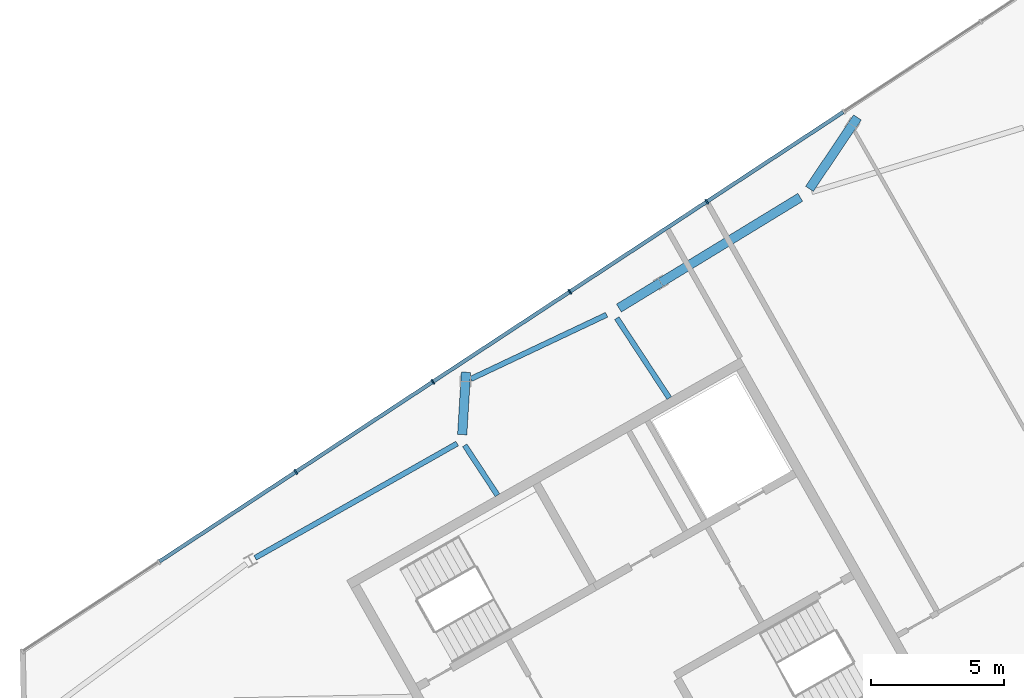
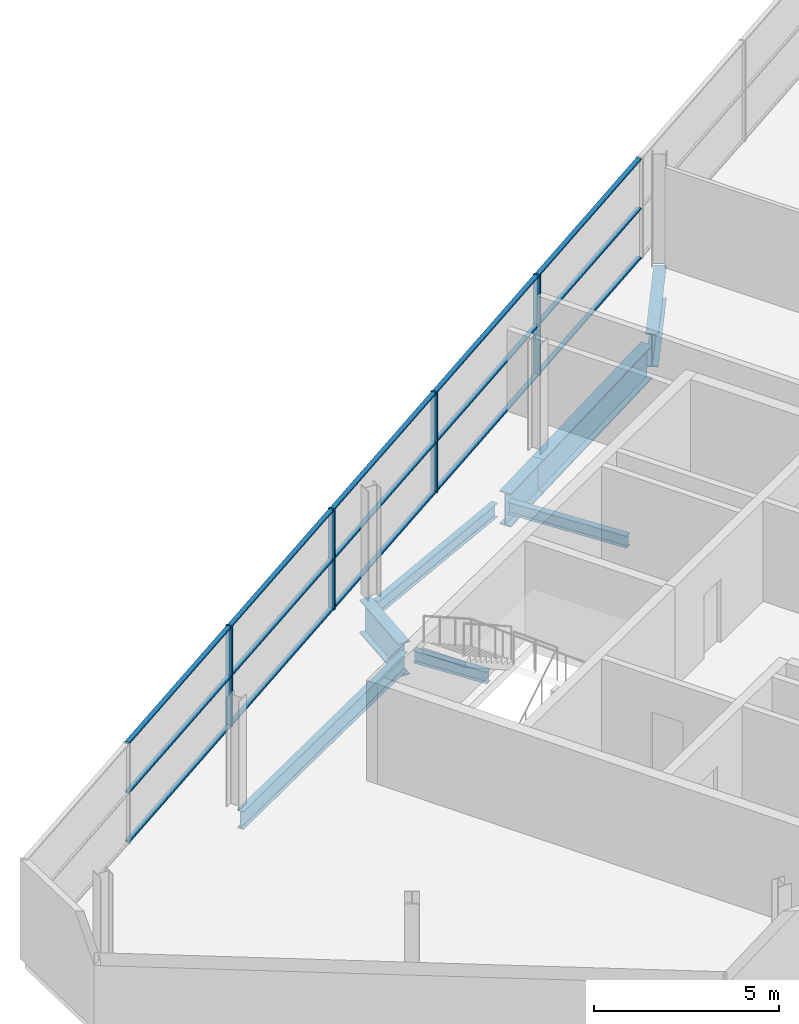
# One storey, part 4 of 10: 19 members, 8 beams, 1 element without a shape of its own.
"""IFC4 building model written with IfcOpenShell, lengths in metres."""

from ifc_helpers import new_model, si_unit, direction, frame, origin, origin_2d, place, context, subcontext, project, spatial, rectangle, i_section, extrude, material, material_profile, profile_set, type_object, element, aggregate, save


model = new_model("IFC4")

# Units and contexts
model_context = context("Model", 3, precision=1e-05, world=origin(), true_north=direction((0.0, 1.0)))
body_context = subcontext(model_context, "Body", "Model", "MODEL_VIEW")
ifc_project = project(units=[si_unit("LENGTHUNIT", "METRE"), si_unit("AREAUNIT", "SQUARE_METRE"), si_unit("VOLUMEUNIT", "CUBIC_METRE"), si_unit("PLANEANGLEUNIT", "RADIAN"), si_unit("MASSUNIT", "GRAM", prefix="KILO")], contexts=[model_context])

# Site, building, storey
site_placement = place(None, origin())
site = spatial("IfcSite", under=ifc_project, at=site_placement, CompositionType="ELEMENT")
building_placement = place(site_placement, origin())
building = spatial("IfcBuilding", under=site, at=building_placement, Name="Binnacle Exchange Tower", CompositionType="ELEMENT")
storey_placement = place(building_placement, frame((0.0, 0.0, 354.10009765625)))
storey = spatial("IfcBuildingStorey", under=building, at=storey_placement, Name="L81", CompositionType="ELEMENT", Elevation=354.10009765625)

# Curtain wall, members
ifc_material_1 = material(Name="Bronze anodised aluminium frame", Category="aluminium")
curtain_wall_type = type_object("IfcCurtainWallType", Name="External wall - curtain wall crown tiers", PredefinedType="NOTDEFINED", material=ifc_material_1)
curtain_wall_placement = place(storey_placement, origin())
curtain_wall = element("IfcCurtainWall", 1, at=curtain_wall_placement, inside=storey, type_object=curtain_wall_type, Name="External wall curtain wall CW5-C203 L81", PredefinedType="NOTDEFINED")
ifc_material_profile_1 = material_profile(ifc_material_1, rectangle(XDim=0.199951171875, YDim=0.06005859375, at=origin_2d()), Name="AL 60x200")
ifc_profile_set_1 = profile_set([ifc_material_profile_1], Name="Bronze anodised aluminium frame")
member_type_1 = type_object("IfcMemberType", Name="CW5 MULLION 60x200", PredefinedType="MULLION", material=ifc_profile_set_1)
member_1_placement = place(storey_placement, frame((-33.068115234375, 55.9150390625, 0.0), z_axis=(0.0, 0.0, 1.0), x_axis=(0.549310297171, -0.835618452059, 0.0)))
member_1 = element("IfcMember", 2, at=member_1_placement, type_object=member_type_1, Name="CW5-C203 mullion 5", PredefinedType="MULLION", context=body_context, shape_type="SweptSolid", body=[
    extrude(rectangle(XDim=0.199951171875, YDim=0.06005859375, at=origin_2d()), origin(), (0.0, 0.0, 1.0), 3.2998046875),
])
member_2_placement = place(storey_placement, frame((-38.21923828125, 52.52880859375, 0.0), z_axis=(0.0, 0.0, 1.0), x_axis=(0.549310297171, -0.835618452059, 0.0)))
member_2 = element("IfcMember", 3, at=member_2_placement, type_object=member_type_1, Name="CW5-C203 mullion 6", PredefinedType="MULLION", context=body_context, shape_type="SweptSolid", body=[
    extrude(rectangle(XDim=0.199951171875, YDim=0.06005859375, at=origin_2d()), origin(), (0.0, 0.0, 1.0), 3.2998046875),
])
member_3_placement = place(storey_placement, frame((-43.37060546875, 49.142578125, 0.0), z_axis=(0.0, 0.0, 1.0), x_axis=(0.549310297171, -0.835618452059, 0.0)))
member_3 = element("IfcMember", 4, at=member_3_placement, type_object=member_type_1, Name="CW5-C203 mullion 7", PredefinedType="MULLION", context=body_context, shape_type="SweptSolid", body=[
    extrude(rectangle(XDim=0.199951171875, YDim=0.06005859375, at=origin_2d()), origin(), (0.0, 0.0, 1.0), 3.2998046875),
])
member_4_placement = place(storey_placement, frame((-48.521728515625, 45.75634765625, 0.0), z_axis=(0.0, 0.0, 1.0), x_axis=(0.549310297171, -0.835618452059, 0.0)))
member_4 = element("IfcMember", 5, at=member_4_placement, type_object=member_type_1, Name="CW5-C203 mullion 8", PredefinedType="MULLION", context=body_context, shape_type="SweptSolid", body=[
    extrude(rectangle(XDim=0.199951171875, YDim=0.06005859375, at=origin_2d()), origin(), (0.0, 0.0, 1.0), 3.2998046875),
])
ifc_material_profile_2 = material_profile(ifc_material_1, rectangle(XDim=0.139892578125, YDim=0.050048828125, at=origin_2d()), Name="AL 140x50")
ifc_profile_set_2 = profile_set([ifc_material_profile_2], Name="Bronze anodised aluminium frame")
member_type_2 = type_object("IfcMemberType", Name="CW5 TRANSOM 50x140", PredefinedType="USERDEFINED", material=ifc_profile_set_2)
member_5_placement = place(storey_placement, frame((-27.94189453125, 59.284912109375, 0.02490234375), z_axis=(-0.835619987891, -0.549307960835, 0.0), x_axis=(0.549307960835, -0.835619987891, 0.0)))
member_5 = element("IfcMember", 6, at=member_5_placement, type_object=member_type_2, Name="CW5-C203 transom 4.1", ObjectType="TRANSOM", PredefinedType="USERDEFINED", context=body_context, shape_type="SweptSolid", body=[
    extrude(rectangle(XDim=0.139892578125, YDim=0.050048828125, at=origin_2d()), origin(), (0.0, 0.0, 1.0), 6.1044921875),
])
member_6_placement = place(storey_placement, frame((-27.94189453125, 59.284912109375, 1.64990234375), z_axis=(-0.835619987891, -0.549307960835, 0.0), x_axis=(0.549307960835, -0.835619987891, 0.0)))
member_6 = element("IfcMember", 7, at=member_6_placement, type_object=member_type_2, Name="CW5-C203 transom 4.2", ObjectType="TRANSOM", PredefinedType="USERDEFINED", context=body_context, shape_type="SweptSolid", body=[
    extrude(rectangle(XDim=0.139892578125, YDim=0.050048828125, at=origin_2d()), origin(), (0.0, 0.0, 1.0), 6.1044921875),
])
member_7_placement = place(storey_placement, frame((-27.94189453125, 59.284912109375, 3.27490234375), z_axis=(-0.835619987891, -0.549307960835, 0.0), x_axis=(0.549307960835, -0.835619987891, 0.0)))
member_7 = element("IfcMember", 8, at=member_7_placement, type_object=member_type_2, Name="CW5-C203 transom 4.3", ObjectType="TRANSOM", PredefinedType="USERDEFINED", context=body_context, shape_type="SweptSolid", body=[
    extrude(rectangle(XDim=0.139892578125, YDim=0.050048828125, at=origin_2d()), origin(), (0.0, 0.0, 1.0), 6.1044921875),
])
member_8_placement = place(storey_placement, frame((-33.09326171875, 55.898681640625, 0.02490234375), z_axis=(-0.835601630395, -0.549335885666, 0.0), x_axis=(0.549335885666, -0.835601630395, 0.0)))
member_8 = element("IfcMember", 9, at=member_8_placement, type_object=member_type_2, Name="CW5-C203 transom 5.1", ObjectType="TRANSOM", PredefinedType="USERDEFINED", context=body_context, shape_type="SweptSolid", body=[
    extrude(rectangle(XDim=0.139892578125, YDim=0.050048828125, at=origin_2d()), origin(), (0.0, 0.0, 1.0), 6.104736328125),
])
member_9_placement = place(storey_placement, frame((-33.09326171875, 55.898681640625, 1.64990234375), z_axis=(-0.835601630395, -0.549335885666, 0.0), x_axis=(0.549335885666, -0.835601630395, 0.0)))
member_9 = element("IfcMember", 10, at=member_9_placement, type_object=member_type_2, Name="CW5-C203 transom 5.2", ObjectType="TRANSOM", PredefinedType="USERDEFINED", context=body_context, shape_type="SweptSolid", body=[
    extrude(rectangle(XDim=0.139892578125, YDim=0.050048828125, at=origin_2d()), origin(), (0.0, 0.0, 1.0), 6.104736328125),
])
member_10_placement = place(storey_placement, frame((-33.09326171875, 55.898681640625, 3.27490234375), z_axis=(-0.835601630395, -0.549335885666, 0.0), x_axis=(0.549335885666, -0.835601630395, 0.0)))
member_10 = element("IfcMember", 11, at=member_10_placement, type_object=member_type_2, Name="CW5-C203 transom 5.3", ObjectType="TRANSOM", PredefinedType="USERDEFINED", context=body_context, shape_type="SweptSolid", body=[
    extrude(rectangle(XDim=0.139892578125, YDim=0.050048828125, at=origin_2d()), origin(), (0.0, 0.0, 1.0), 6.104736328125),
])
member_11_placement = place(storey_placement, frame((-38.244384765625, 52.51220703125, 0.02490234375), z_axis=(-0.835619987891, -0.549307960835, 0.0), x_axis=(0.549307960835, -0.835619987891, 0.0)))
member_11 = element("IfcMember", 12, at=member_11_placement, type_object=member_type_2, Name="CW5-C203 transom 6.1", ObjectType="TRANSOM", PredefinedType="USERDEFINED", context=body_context, shape_type="SweptSolid", body=[
    extrude(rectangle(XDim=0.139892578125, YDim=0.050048828125, at=origin_2d()), origin(), (0.0, 0.0, 1.0), 6.1044921875),
])
member_12_placement = place(storey_placement, frame((-38.244384765625, 52.51220703125, 1.64990234375), z_axis=(-0.835619987891, -0.549307960835, 0.0), x_axis=(0.549307960835, -0.835619987891, 0.0)))
member_12 = element("IfcMember", 13, at=member_12_placement, type_object=member_type_2, Name="CW5-C203 transom 6.2", ObjectType="TRANSOM", PredefinedType="USERDEFINED", context=body_context, shape_type="SweptSolid", body=[
    extrude(rectangle(XDim=0.139892578125, YDim=0.050048828125, at=origin_2d()), origin(), (0.0, 0.0, 1.0), 6.1044921875),
])
member_13_placement = place(storey_placement, frame((-38.244384765625, 52.51220703125, 3.27490234375), z_axis=(-0.835619987891, -0.549307960835, 0.0), x_axis=(0.549307960835, -0.835619987891, 0.0)))
member_13 = element("IfcMember", 14, at=member_13_placement, type_object=member_type_2, Name="CW5-C203 transom 6.3", ObjectType="TRANSOM", PredefinedType="USERDEFINED", context=body_context, shape_type="SweptSolid", body=[
    extrude(rectangle(XDim=0.139892578125, YDim=0.050048828125, at=origin_2d()), origin(), (0.0, 0.0, 1.0), 6.1044921875),
])
member_14_placement = place(storey_placement, frame((-43.395751953125, 49.1259765625, 0.02490234375), z_axis=(-0.835619987891, -0.549307960835, 0.0), x_axis=(0.549307960835, -0.835619987891, 0.0)))
member_14 = element("IfcMember", 15, at=member_14_placement, type_object=member_type_2, Name="CW5-C203 transom 7.1", ObjectType="TRANSOM", PredefinedType="USERDEFINED", context=body_context, shape_type="SweptSolid", body=[
    extrude(rectangle(XDim=0.139892578125, YDim=0.050048828125, at=origin_2d()), origin(), (0.0, 0.0, 1.0), 6.1044921875),
])
member_15_placement = place(storey_placement, frame((-43.395751953125, 49.1259765625, 1.64990234375), z_axis=(-0.835619987891, -0.549307960835, 0.0), x_axis=(0.549307960835, -0.835619987891, 0.0)))
member_15 = element("IfcMember", 16, at=member_15_placement, type_object=member_type_2, Name="CW5-C203 transom 7.2", ObjectType="TRANSOM", PredefinedType="USERDEFINED", context=body_context, shape_type="SweptSolid", body=[
    extrude(rectangle(XDim=0.139892578125, YDim=0.050048828125, at=origin_2d()), origin(), (0.0, 0.0, 1.0), 6.1044921875),
])
member_16_placement = place(storey_placement, frame((-43.395751953125, 49.1259765625, 3.27490234375), z_axis=(-0.835619987891, -0.549307960835, 0.0), x_axis=(0.549307960835, -0.835619987891, 0.0)))
member_16 = element("IfcMember", 17, at=member_16_placement, type_object=member_type_2, Name="CW5-C203 transom 7.3", ObjectType="TRANSOM", PredefinedType="USERDEFINED", context=body_context, shape_type="SweptSolid", body=[
    extrude(rectangle(XDim=0.139892578125, YDim=0.050048828125, at=origin_2d()), origin(), (0.0, 0.0, 1.0), 6.1044921875),
])
member_17_placement = place(storey_placement, frame((-48.546875, 45.73974609375, 0.02490234375), z_axis=(-0.835619987891, -0.549307960835, 0.0), x_axis=(0.549307960835, -0.835619987891, 0.0)))
member_17 = element("IfcMember", 18, at=member_17_placement, type_object=member_type_2, Name="CW5-C203 transom 8.1", ObjectType="TRANSOM", PredefinedType="USERDEFINED", context=body_context, shape_type="SweptSolid", body=[
    extrude(rectangle(XDim=0.139892578125, YDim=0.050048828125, at=origin_2d()), origin(), (0.0, 0.0, 1.0), 6.1044921875),
])
member_18_placement = place(storey_placement, frame((-48.546875, 45.73974609375, 1.64990234375), z_axis=(-0.835619987891, -0.549307960835, 0.0), x_axis=(0.549307960835, -0.835619987891, 0.0)))
member_18 = element("IfcMember", 19, at=member_18_placement, type_object=member_type_2, Name="CW5-C203 transom 8.2", ObjectType="TRANSOM", PredefinedType="USERDEFINED", context=body_context, shape_type="SweptSolid", body=[
    extrude(rectangle(XDim=0.139892578125, YDim=0.050048828125, at=origin_2d()), origin(), (0.0, 0.0, 1.0), 6.1044921875),
])
member_19_placement = place(storey_placement, frame((-48.546875, 45.73974609375, 3.27490234375), z_axis=(-0.835619987891, -0.549307960835, 0.0), x_axis=(0.549307960835, -0.835619987891, 0.0)))
member_19 = element("IfcMember", 20, at=member_19_placement, type_object=member_type_2, Name="CW5-C203 transom 8.3", ObjectType="TRANSOM", PredefinedType="USERDEFINED", context=body_context, shape_type="SweptSolid", body=[
    extrude(rectangle(XDim=0.139892578125, YDim=0.050048828125, at=origin_2d()), origin(), (0.0, 0.0, 1.0), 6.1044921875),
])
aggregate(curtain_wall, [member_1, member_2, member_3, member_4, member_5, member_6, member_7, member_8, member_9, member_10, member_11, member_12, member_13, member_14, member_15, member_16, member_17, member_18, member_19])

# Beams
ifc_material_2 = material(Name="Steel S355 (SHN355)", Category="steel")
ifc_material_profile_3 = material_profile(ifc_material_2, i_section(OverallWidth=0.199951171875, OverallDepth=0.449951171875, WebThickness=0.009033203125, FlangeThickness=0.013916015625, FilletRadius=0.01806640625, at=origin_2d()), Name="H 450x200x9x14")
ifc_profile_set_3 = profile_set([ifc_material_profile_3], Name="Steel S355 (SHN355)")
beam_type_1 = type_object("IfcBeamType", Name="Edge girder H 450x200x9x14 Steel S355 (SHN355)", PredefinedType="SPANDREL", material=ifc_profile_set_3)
beam_1_placement = place(storey_placement, frame((-41.942626953125, 49.248291015625, -0.525146484375), z_axis=(0.90406679965, 0.427391181204, 0.0), x_axis=(-0.427391181204, 0.90406679965, 0.0)))
element("IfcBeam", 21, at=beam_1_placement, inside=storey, type_object=beam_type_1, Name="S:BM:edge:L81:021", PredefinedType="SPANDREL", context=body_context, shape_type="SweptSolid", body=[
    extrude(i_section(OverallWidth=0.199951171875, OverallDepth=0.449951171875, WebThickness=0.009033203125, FlangeThickness=0.013916015625, FilletRadius=0.01806640625, at=origin_2d()), origin(), (0.0, 0.0, 1.0), 5.647216796875),
])
ifc_material_profile_4 = material_profile(ifc_material_2, i_section(OverallWidth=0.199951171875, OverallDepth=0.60009765625, WebThickness=0.010986328125, FlangeThickness=0.01708984375, FilletRadius=0.02197265625, at=origin_2d()), Name="H 600x200x11x17")
ifc_profile_set_4 = profile_set([ifc_material_profile_4], Name="Steel S355 (SHN355)")
beam_type_2 = type_object("IfcBeamType", Name="Edge girder H 600x200x11x17 Steel S355 (SHN355)", PredefinedType="SPANDREL", material=ifc_profile_set_4)
beam_2_placement = place(storey_placement, frame((-50.052001953125, 42.521484375, -0.60009765625), z_axis=(0.870348679589, 0.492435961255, 0.0), x_axis=(-0.492435961255, 0.870348679589, 0.0)))
element("IfcBeam", 22, at=beam_2_placement, inside=storey, type_object=beam_type_2, Name="S:BM:edge:L81:019", PredefinedType="SPANDREL", context=body_context, shape_type="SweptSolid", body=[
    extrude(i_section(OverallWidth=0.199951171875, OverallDepth=0.60009765625, WebThickness=0.010986328125, FlangeThickness=0.01708984375, FilletRadius=0.02197265625, at=origin_2d()), origin(), (0.0, 0.0, 1.0), 8.729736328125),
])
ifc_material_profile_5 = material_profile(ifc_material_2, i_section(OverallWidth=0.199951171875, OverallDepth=0.39990234375, WebThickness=0.008056640625, FlangeThickness=0.012939453125, FilletRadius=0.01611328125, at=origin_2d()), Name="H 400x200x8x13")
ifc_profile_set_5 = profile_set([ifc_material_profile_5], Name="Steel S355 (SHN355)")
beam_type_3 = type_object("IfcBeamType", Name="Floor beam H 400x200x8x13 Steel S355 (SHN355)", PredefinedType="BEAM", material=ifc_profile_set_5)
beam_3_placement = place(storey_placement, frame((-42.169921875, 46.751220703125, -0.5), z_axis=(0.549330151481, -0.835605400099, 0.0), x_axis=(0.835605400099, 0.549330151481, 0.0)))
element("IfcBeam", 23, at=beam_3_placement, inside=storey, type_object=beam_type_3, Name="S:BM:cross:L81:030", PredefinedType="BEAM", context=body_context, shape_type="SweptSolid", body=[
    extrude(i_section(OverallWidth=0.199951171875, OverallDepth=0.39990234375, WebThickness=0.008056640625, FlangeThickness=0.012939453125, FilletRadius=0.01611328125, at=origin_2d()), origin(), (0.0, 0.0, 1.0), 2.239501953125),
])
beam_4_placement = place(storey_placement, frame((-36.455078125, 51.53662109375, -0.5), z_axis=(0.549263298622, -0.835649345591, 0.0), x_axis=(0.835649345591, 0.549263298622, 0.0)))
element("IfcBeam", 24, at=beam_4_placement, inside=storey, type_object=beam_type_3, Name="S:BM:cross:L81:032", PredefinedType="BEAM", context=body_context, shape_type="SweptSolid", body=[
    extrude(i_section(OverallWidth=0.199951171875, OverallDepth=0.39990234375, WebThickness=0.008056640625, FlangeThickness=0.012939453125, FilletRadius=0.01611328125, at=origin_2d()), origin(), (0.0, 0.0, 1.0), 3.59326171875),
])
ifc_material_3 = material(Name="Steel S355 (SM355)", Category="steel")
ifc_material_profile_6 = material_profile(ifc_material_3, i_section(OverallWidth=0.35009765625, OverallDepth=1.10009765625, WebThickness=0.02001953125, FlangeThickness=0.035888671875, at=origin_2d()), Name="BH 1100x350x20x36")
ifc_profile_set_6 = profile_set([ifc_material_profile_6], Name="Steel S355 (SM355)")
beam_type_4 = type_object("IfcBeamType", Name="Transfer girder BH 1100x350x20x36 Steel S355 (SM355)", PredefinedType="BEAM", material=ifc_profile_set_6)
beam_5_placement = place(storey_placement, frame((-42.265625, 47.15673828125, -0.85009765625), z_axis=(0.060677001426, 0.99815745326, 0.0), x_axis=(-0.99815745326, 0.060677001426, 0.0)))
element("IfcBeam", 25, at=beam_5_placement, inside=storey, type_object=beam_type_4, Name="S:BM:transfer:L81:001", PredefinedType="BEAM", context=body_context, shape_type="SweptSolid", body=[
    extrude(i_section(OverallWidth=0.35009765625, OverallDepth=1.10009765625, WebThickness=0.02001953125, FlangeThickness=0.035888671875, at=origin_2d()), origin(), (0.0, 0.0, 1.0), 2.349853515625),
])
beam_6_placement = place(storey_placement, frame((-36.3720703125, 51.914306640625, -0.85009765625), z_axis=(0.853448676983, 0.521176894879, 0.0), x_axis=(-0.521176894879, 0.853448676983, 0.0)))
element("IfcBeam", 26, at=beam_6_placement, inside=storey, type_object=beam_type_4, Name="S:BM:transfer:L81:002", PredefinedType="BEAM", context=body_context, shape_type="SweptSolid", body=[
    extrude(i_section(OverallWidth=0.35009765625, OverallDepth=1.10009765625, WebThickness=0.02001953125, FlangeThickness=0.035888671875, at=origin_2d()), origin(), (0.0, 0.0, 1.0), 1.84423828125),
])
beam_7_placement = place(storey_placement, frame((-34.798095703125, 52.87548828125, -0.85009765625), z_axis=(0.853459562931, 0.521159068271, 0.0), x_axis=(-0.521159068271, 0.853459562931, 0.0)))
element("IfcBeam", 27, at=beam_7_placement, inside=storey, type_object=beam_type_4, Name="S:BM:transfer:L81:003", PredefinedType="BEAM", context=body_context, shape_type="SweptSolid", body=[
    extrude(i_section(OverallWidth=0.35009765625, OverallDepth=1.10009765625, WebThickness=0.02001953125, FlangeThickness=0.035888671875, at=origin_2d()), origin(), (0.0, 0.0, 1.0), 6.144287109375),
])
beam_8_placement = place(storey_placement, frame((-29.20751953125, 56.3974609375, -0.85009765625), z_axis=(0.55767414145, 0.830059968893, 0.0), x_axis=(-0.830059968893, 0.55767414145, 0.0)))
element("IfcBeam", 28, at=beam_8_placement, inside=storey, type_object=beam_type_4, Name="S:BM:transfer:L81:005", PredefinedType="BEAM", context=body_context, shape_type="SweptSolid", body=[
    extrude(i_section(OverallWidth=0.35009765625, OverallDepth=1.10009765625, WebThickness=0.02001953125, FlangeThickness=0.035888671875, at=origin_2d()), origin(), (0.0, 0.0, 1.0), 3.235595703125),
])

save(model, "model.ifc")
